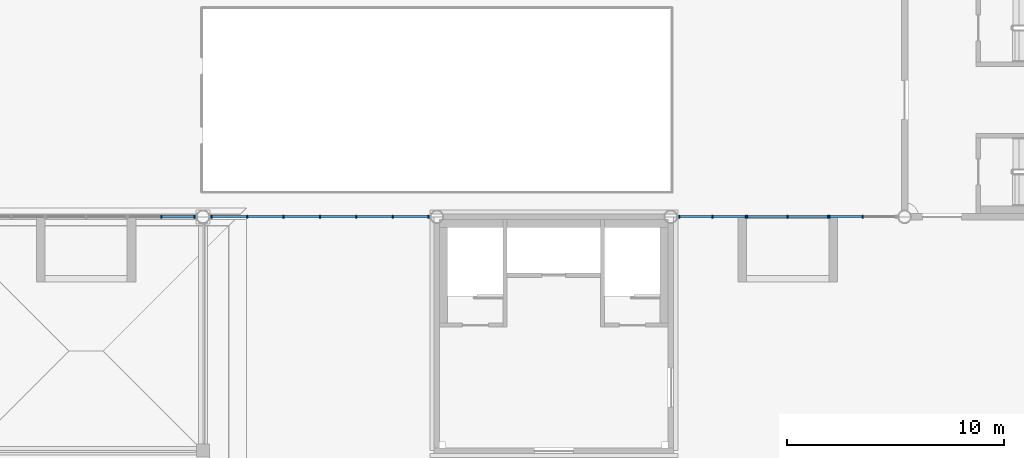
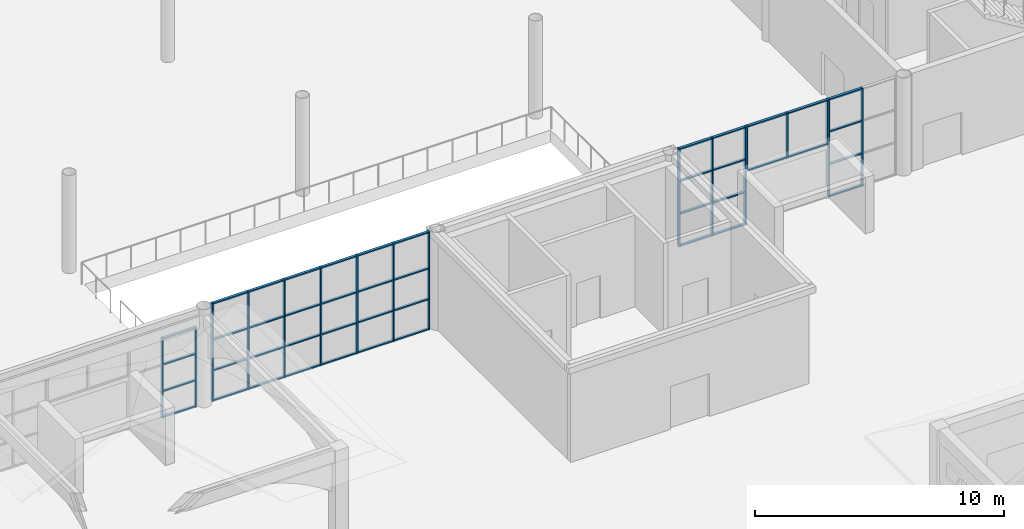
# One storey, part 20 of 91: 61 members, 5 elements without a shape of their own.
"""IFC4 building model written with IfcOpenShell, lengths in metres."""

from ifc_helpers import new_model, si_unit, direction, frame, origin, origin_2d, place, context, subcontext, project, spatial, rectangle, extrude, material, layer, layer_set, material_profile, profile_set, type_object, element, aggregate, save


model = new_model("IFC4")

# Units and contexts
model_context = context("Model", 3, precision=1e-05, world=origin(), true_north=direction((0.0, 1.0)))
body_context = subcontext(model_context, "Body", "Model", "MODEL_VIEW")
ifc_project = project(units=[si_unit("LENGTHUNIT", "METRE"), si_unit("AREAUNIT", "SQUARE_METRE"), si_unit("VOLUMEUNIT", "CUBIC_METRE"), si_unit("PLANEANGLEUNIT", "RADIAN"), si_unit("MASSUNIT", "GRAM", prefix="KILO")], contexts=[model_context])

# Site, building, storey
site_placement = place(None, origin())
site = spatial("IfcSite", under=ifc_project, at=site_placement, CompositionType="ELEMENT")
building_placement = place(site_placement, origin())
building = spatial("IfcBuilding", under=site, at=building_placement, Name="Magnolia Steps Interchange", CompositionType="ELEMENT")
storey_placement = place(building_placement, origin())
storey = spatial("IfcBuildingStorey", under=building, at=storey_placement, Name="L00", CompositionType="ELEMENT", Elevation=0.0)

# Curtain wall, members
ifc_material_1 = material(Name="Powder-coated aluminium and glass", Category="aluminium")
ifc_layer = layer(ifc_material_1, 0.14990234375)
ifc_layer_set = layer_set([ifc_layer], Name="Glazed hall curtain wall")
curtain_wall_type = type_object("IfcCurtainWallType", Name="Glazed hall curtain wall", PredefinedType="NOTDEFINED", material=ifc_layer_set)
curtain_wall_1_placement = place(storey_placement, origin())
curtain_wall_1 = element("IfcCurtainWall", 1, at=curtain_wall_1_placement, inside=storey, type_object=curtain_wall_type, Name="Hall glazing S2z L00", PredefinedType="NOTDEFINED")
ifc_material_2 = material(Name="White powder-coated aluminium", Category="aluminium")
ifc_material_profile_1 = material_profile(ifc_material_2, rectangle(XDim=0.06005859375, YDim=0.14990234375, at=origin_2d()), Name="Aluminium mullion 60 x 150")
ifc_profile_set_1 = profile_set([ifc_material_profile_1], Name="White powder-coated aluminium")
member_type_1 = type_object("IfcMemberType", Name="Aluminium mullion 60 x 150", PredefinedType="MULLION", material=ifc_profile_set_1)
member_1_placement = place(storey_placement, frame((72.8701171875, 42.39990234375, 0.0), z_axis=(0.0, 0.0, 1.0), x_axis=(1.0, 0.0, 0.0)))
member_1 = element("IfcMember", 2, at=member_1_placement, type_object=member_type_1, Name="CW1 mullion 2", PredefinedType="MULLION", context=body_context, shape_type="SweptSolid", body=[
    extrude(rectangle(XDim=0.06005859375, YDim=0.14990234375, at=origin_2d()), origin(), (0.0, 0.0, 1.0), 3.89990234375),
])
member_2_placement = place(storey_placement, frame((74.409912109375, 42.39990234375, 0.0), z_axis=(0.0, 0.0, 1.0), x_axis=(1.0, 0.0, 0.0)))
member_2 = element("IfcMember", 3, at=member_2_placement, type_object=member_type_1, Name="CW1 mullion 3", PredefinedType="MULLION", context=body_context, shape_type="SweptSolid", body=[
    extrude(rectangle(XDim=0.06005859375, YDim=0.14990234375, at=origin_2d()), origin(), (0.0, 0.0, 1.0), 3.89990234375),
])

curtain_wall_2_placement = place(storey_placement, origin())
curtain_wall_2 = element("IfcCurtainWall", 4, at=curtain_wall_2_placement, inside=storey, type_object=curtain_wall_type, Name="Hall glazing S3 L00", PredefinedType="NOTDEFINED")
member_3_placement = place(storey_placement, frame((75.18994140625, 42.39990234375, 0.0), z_axis=(0.0, 0.0, 1.0), x_axis=(1.0, 0.0, 0.0)))
member_3 = element("IfcMember", 5, at=member_3_placement, type_object=member_type_1, Name="CW1 mullion 1", PredefinedType="MULLION", context=body_context, shape_type="SweptSolid", body=[
    extrude(rectangle(XDim=0.06005859375, YDim=0.14990234375, at=origin_2d()), origin(), (0.0, 0.0, 1.0), 4.800048828125),
])
member_4_placement = place(storey_placement, frame((76.840087890625, 42.39990234375, 0.0), z_axis=(0.0, 0.0, 1.0), x_axis=(1.0, 0.0, 0.0)))
member_4 = element("IfcMember", 6, at=member_4_placement, type_object=member_type_1, Name="CW1 mullion 2", PredefinedType="MULLION", context=body_context, shape_type="SweptSolid", body=[
    extrude(rectangle(XDim=0.06005859375, YDim=0.14990234375, at=origin_2d()), origin(), (0.0, 0.0, 1.0), 4.800048828125),
])
member_5_placement = place(storey_placement, frame((78.52001953125, 42.39990234375, 0.0), z_axis=(0.0, 0.0, 1.0), x_axis=(1.0, 0.0, 0.0)))
member_5 = element("IfcMember", 7, at=member_5_placement, type_object=member_type_1, Name="CW1 mullion 3", PredefinedType="MULLION", context=body_context, shape_type="SweptSolid", body=[
    extrude(rectangle(XDim=0.06005859375, YDim=0.14990234375, at=origin_2d()), origin(), (0.0, 0.0, 1.0), 4.800048828125),
])
member_6_placement = place(storey_placement, frame((80.199951171875, 42.39990234375, 0.0), z_axis=(0.0, 0.0, 1.0), x_axis=(1.0, 0.0, 0.0)))
member_6 = element("IfcMember", 8, at=member_6_placement, type_object=member_type_1, Name="CW1 mullion 4", PredefinedType="MULLION", context=body_context, shape_type="SweptSolid", body=[
    extrude(rectangle(XDim=0.06005859375, YDim=0.14990234375, at=origin_2d()), origin(), (0.0, 0.0, 1.0), 4.800048828125),
])
member_7_placement = place(storey_placement, frame((81.8798828125, 42.39990234375, 0.0), z_axis=(0.0, 0.0, 1.0), x_axis=(1.0, 0.0, 0.0)))
member_7 = element("IfcMember", 9, at=member_7_placement, type_object=member_type_1, Name="CW1 mullion 5", PredefinedType="MULLION", context=body_context, shape_type="SweptSolid", body=[
    extrude(rectangle(XDim=0.06005859375, YDim=0.14990234375, at=origin_2d()), origin(), (0.0, 0.0, 1.0), 4.800048828125),
])
member_8_placement = place(storey_placement, frame((83.56005859375, 42.39990234375, 0.0), z_axis=(0.0, 0.0, 1.0), x_axis=(1.0, 0.0, 0.0)))
member_8 = element("IfcMember", 10, at=member_8_placement, type_object=member_type_1, Name="CW1 mullion 6", PredefinedType="MULLION", context=body_context, shape_type="SweptSolid", body=[
    extrude(rectangle(XDim=0.06005859375, YDim=0.14990234375, at=origin_2d()), origin(), (0.0, 0.0, 1.0), 4.800048828125),
])
member_9_placement = place(storey_placement, frame((85.2099609375, 42.39990234375, 0.0), z_axis=(0.0, 0.0, 1.0), x_axis=(1.0, 0.0, 0.0)))
member_9 = element("IfcMember", 11, at=member_9_placement, type_object=member_type_1, Name="CW1 mullion 7", PredefinedType="MULLION", context=body_context, shape_type="SweptSolid", body=[
    extrude(rectangle(XDim=0.06005859375, YDim=0.14990234375, at=origin_2d()), origin(), (0.0, 0.0, 1.0), 4.800048828125),
])

curtain_wall_3_placement = place(storey_placement, origin())
curtain_wall_3 = element("IfcCurtainWall", 12, at=curtain_wall_3_placement, inside=storey, type_object=curtain_wall_type, Name="Hall glazing S5a L00", PredefinedType="NOTDEFINED")
member_10_placement = place(storey_placement, frame((96.7900390625, 42.39990234375, 0.0), z_axis=(0.0, 0.0, 1.0), x_axis=(1.0, 0.0, 0.0)))
member_10 = element("IfcMember", 13, at=member_10_placement, type_object=member_type_1, Name="CW1 mullion 1", PredefinedType="MULLION", context=body_context, shape_type="SweptSolid", body=[
    extrude(rectangle(XDim=0.06005859375, YDim=0.14990234375, at=origin_2d()), origin(), (0.0, 0.0, 1.0), 4.800048828125),
])
member_11_placement = place(storey_placement, frame((98.330078125, 42.39990234375, 0.0), z_axis=(0.0, 0.0, 1.0), x_axis=(1.0, 0.0, 0.0)))
member_11 = element("IfcMember", 14, at=member_11_placement, type_object=member_type_1, Name="CW1 mullion 2", PredefinedType="MULLION", context=body_context, shape_type="SweptSolid", body=[
    extrude(rectangle(XDim=0.06005859375, YDim=0.14990234375, at=origin_2d()), origin(), (0.0, 0.0, 1.0), 4.800048828125),
])
member_12_placement = place(storey_placement, frame((99.8701171875, 42.39990234375, 0.0), z_axis=(0.0, 0.0, 1.0), x_axis=(1.0, 0.0, 0.0)))
member_12 = element("IfcMember", 15, at=member_12_placement, type_object=member_type_1, Name="CW1 mullion 3", PredefinedType="MULLION", context=body_context, shape_type="SweptSolid", body=[
    extrude(rectangle(XDim=0.06005859375, YDim=0.14990234375, at=origin_2d()), origin(), (0.0, 0.0, 1.0), 4.800048828125),
])

curtain_wall_4_placement = place(storey_placement, origin())
curtain_wall_4 = element("IfcCurtainWall", 16, at=curtain_wall_4_placement, inside=storey, type_object=curtain_wall_type, Name="Hall entrance fanlight S5", PredefinedType="NOTDEFINED")
member_13_placement = place(storey_placement, frame((99.929931640625, 42.39990234375, 2.60009765625), z_axis=(0.0, 0.0, 1.0), x_axis=(1.0, 0.0, 0.0)))
member_13 = element("IfcMember", 17, at=member_13_placement, type_object=member_type_1, Name="CW1 mullion 1", PredefinedType="MULLION", context=body_context, shape_type="SweptSolid", body=[
    extrude(rectangle(XDim=0.06005859375, YDim=0.14990234375, at=origin_2d()), origin(), (0.0, 0.0, 1.0), 2.199951171875),
])
member_14_placement = place(storey_placement, frame((101.800048828125, 42.39990234375, 2.60009765625), z_axis=(0.0, 0.0, 1.0), x_axis=(1.0, 0.0, 0.0)))
member_14 = element("IfcMember", 18, at=member_14_placement, type_object=member_type_1, Name="CW1 mullion 2", PredefinedType="MULLION", context=body_context, shape_type="SweptSolid", body=[
    extrude(rectangle(XDim=0.06005859375, YDim=0.14990234375, at=origin_2d()), origin(), (0.0, 0.0, 1.0), 2.199951171875),
])
member_15_placement = place(storey_placement, frame((103.669921875, 42.39990234375, 2.60009765625), z_axis=(0.0, 0.0, 1.0), x_axis=(1.0, 0.0, 0.0)))
member_15 = element("IfcMember", 19, at=member_15_placement, type_object=member_type_1, Name="CW1 mullion 3", PredefinedType="MULLION", context=body_context, shape_type="SweptSolid", body=[
    extrude(rectangle(XDim=0.06005859375, YDim=0.14990234375, at=origin_2d()), origin(), (0.0, 0.0, 1.0), 2.199951171875),
])

curtain_wall_5_placement = place(storey_placement, origin())
curtain_wall_5 = element("IfcCurtainWall", 20, at=curtain_wall_5_placement, inside=storey, type_object=curtain_wall_type, Name="Hall glazing S5z L00", PredefinedType="NOTDEFINED")
member_16_placement = place(storey_placement, frame((103.72998046875, 42.39990234375, 0.0), z_axis=(0.0, 0.0, 1.0), x_axis=(1.0, 0.0, 0.0)))
member_16 = element("IfcMember", 21, at=member_16_placement, type_object=member_type_1, Name="CW1 mullion 1", PredefinedType="MULLION", context=body_context, shape_type="SweptSolid", body=[
    extrude(rectangle(XDim=0.06005859375, YDim=0.14990234375, at=origin_2d()), origin(), (0.0, 0.0, 1.0), 4.800048828125),
])
member_17_placement = place(storey_placement, frame((105.27001953125, 42.39990234375, 0.0), z_axis=(0.0, 0.0, 1.0), x_axis=(1.0, 0.0, 0.0)))
member_17 = element("IfcMember", 22, at=member_17_placement, type_object=member_type_1, Name="CW1 mullion 2", PredefinedType="MULLION", context=body_context, shape_type="SweptSolid", body=[
    extrude(rectangle(XDim=0.06005859375, YDim=0.14990234375, at=origin_2d()), origin(), (0.0, 0.0, 1.0), 4.800048828125),
])

# Member
ifc_material_3 = material(Name="White powder-coated aluminium", Category="aluminium")
ifc_material_profile_2 = material_profile(ifc_material_3, rectangle(XDim=0.06005859375, YDim=0.1201171875, at=origin_2d()), Name="Aluminium transom 60 x 120")
ifc_profile_set_2 = profile_set([ifc_material_profile_2], Name="White powder-coated aluminium")
member_type_2 = type_object("IfcMemberType", Name="Aluminium transom 60 x 120", PredefinedType="USERDEFINED", material=ifc_profile_set_2)
member_18_placement = place(storey_placement, frame((72.89990234375, 42.39990234375, 0.030029296875), z_axis=(1.0, 0.0, 0.0), x_axis=(0.0, 0.0, 1.0)))
member_18 = element("IfcMember", 23, at=member_18_placement, type_object=member_type_2, Name="CW1 transom 2.1", ObjectType="TRANSOM", PredefinedType="USERDEFINED", context=body_context, shape_type="SweptSolid", body=[
    extrude(rectangle(XDim=0.06005859375, YDim=0.1201171875, at=origin_2d()), origin(), (0.0, 0.0, 1.0), 1.47998046875),
])

member_19_placement = place(storey_placement, frame((72.89990234375, 42.39990234375, 1.300048828125), z_axis=(1.0, 0.0, 0.0), x_axis=(0.0, 0.0, 1.0)))
member_19 = element("IfcMember", 24, at=member_19_placement, type_object=member_type_2, Name="CW1 transom 2.2", ObjectType="TRANSOM", PredefinedType="USERDEFINED", context=body_context, shape_type="SweptSolid", body=[
    extrude(rectangle(XDim=0.06005859375, YDim=0.1201171875, at=origin_2d()), origin(), (0.0, 0.0, 1.0), 1.47998046875),
])

member_20_placement = place(storey_placement, frame((72.89990234375, 42.39990234375, 2.60009765625), z_axis=(1.0, 0.0, 0.0), x_axis=(0.0, 0.0, 1.0)))
member_20 = element("IfcMember", 25, at=member_20_placement, type_object=member_type_2, Name="CW1 transom 2.3", ObjectType="TRANSOM", PredefinedType="USERDEFINED", context=body_context, shape_type="SweptSolid", body=[
    extrude(rectangle(XDim=0.06005859375, YDim=0.1201171875, at=origin_2d()), origin(), (0.0, 0.0, 1.0), 1.47998046875),
])

member_21_placement = place(storey_placement, frame((72.89990234375, 42.39990234375, 3.8701171875), z_axis=(1.0, 0.0, 0.0), x_axis=(0.0, 0.0, 1.0)))
member_21 = element("IfcMember", 26, at=member_21_placement, type_object=member_type_2, Name="CW1 transom 2.4", ObjectType="TRANSOM", PredefinedType="USERDEFINED", context=body_context, shape_type="SweptSolid", body=[
    extrude(rectangle(XDim=0.06005859375, YDim=0.1201171875, at=origin_2d()), origin(), (0.0, 0.0, 1.0), 1.47998046875),
])

aggregate(curtain_wall_1, [member_1, member_2, member_18, member_19, member_20, member_21])

member_22_placement = place(storey_placement, frame((75.219970703125, 42.39990234375, 0.030029296875), z_axis=(1.0, 0.0, 0.0), x_axis=(0.0, 0.0, 1.0)))
member_22 = element("IfcMember", 27, at=member_22_placement, type_object=member_type_2, Name="CW1 transom 1.1", ObjectType="TRANSOM", PredefinedType="USERDEFINED", context=body_context, shape_type="SweptSolid", body=[
    extrude(rectangle(XDim=0.06005859375, YDim=0.1201171875, at=origin_2d()), origin(), (0.0, 0.0, 1.0), 1.590087890625),
])

member_23_placement = place(storey_placement, frame((75.219970703125, 42.39990234375, 1.5), z_axis=(1.0, 0.0, 0.0), x_axis=(0.0, 0.0, 1.0)))
member_23 = element("IfcMember", 28, at=member_23_placement, type_object=member_type_2, Name="CW1 transom 1.2", ObjectType="TRANSOM", PredefinedType="USERDEFINED", context=body_context, shape_type="SweptSolid", body=[
    extrude(rectangle(XDim=0.06005859375, YDim=0.1201171875, at=origin_2d()), origin(), (0.0, 0.0, 1.0), 1.590087890625),
])

member_24_placement = place(storey_placement, frame((75.219970703125, 42.39990234375, 3.0), z_axis=(1.0, 0.0, 0.0), x_axis=(0.0, 0.0, 1.0)))
member_24 = element("IfcMember", 29, at=member_24_placement, type_object=member_type_2, Name="CW1 transom 1.3", ObjectType="TRANSOM", PredefinedType="USERDEFINED", context=body_context, shape_type="SweptSolid", body=[
    extrude(rectangle(XDim=0.06005859375, YDim=0.1201171875, at=origin_2d()), origin(), (0.0, 0.0, 1.0), 1.590087890625),
])

member_25_placement = place(storey_placement, frame((75.219970703125, 42.39990234375, 4.77001953125), z_axis=(1.0, 0.0, 0.0), x_axis=(0.0, 0.0, 1.0)))
member_25 = element("IfcMember", 30, at=member_25_placement, type_object=member_type_2, Name="CW1 transom 1.4", ObjectType="TRANSOM", PredefinedType="USERDEFINED", context=body_context, shape_type="SweptSolid", body=[
    extrude(rectangle(XDim=0.06005859375, YDim=0.1201171875, at=origin_2d()), origin(), (0.0, 0.0, 1.0), 1.590087890625),
])

member_26_placement = place(storey_placement, frame((76.8701171875, 42.39990234375, 0.030029296875), z_axis=(1.0, 0.0, 0.0), x_axis=(0.0, 0.0, 1.0)))
member_26 = element("IfcMember", 31, at=member_26_placement, type_object=member_type_2, Name="CW1 transom 2.1", ObjectType="TRANSOM", PredefinedType="USERDEFINED", context=body_context, shape_type="SweptSolid", body=[
    extrude(rectangle(XDim=0.06005859375, YDim=0.1201171875, at=origin_2d()), origin(), (0.0, 0.0, 1.0), 1.619873046875),
])

member_27_placement = place(storey_placement, frame((76.8701171875, 42.39990234375, 1.5), z_axis=(1.0, 0.0, 0.0), x_axis=(0.0, 0.0, 1.0)))
member_27 = element("IfcMember", 32, at=member_27_placement, type_object=member_type_2, Name="CW1 transom 2.2", ObjectType="TRANSOM", PredefinedType="USERDEFINED", context=body_context, shape_type="SweptSolid", body=[
    extrude(rectangle(XDim=0.06005859375, YDim=0.1201171875, at=origin_2d()), origin(), (0.0, 0.0, 1.0), 1.619873046875),
])

member_28_placement = place(storey_placement, frame((76.8701171875, 42.39990234375, 3.0), z_axis=(1.0, 0.0, 0.0), x_axis=(0.0, 0.0, 1.0)))
member_28 = element("IfcMember", 33, at=member_28_placement, type_object=member_type_2, Name="CW1 transom 2.3", ObjectType="TRANSOM", PredefinedType="USERDEFINED", context=body_context, shape_type="SweptSolid", body=[
    extrude(rectangle(XDim=0.06005859375, YDim=0.1201171875, at=origin_2d()), origin(), (0.0, 0.0, 1.0), 1.619873046875),
])

member_29_placement = place(storey_placement, frame((76.8701171875, 42.39990234375, 4.77001953125), z_axis=(1.0, 0.0, 0.0), x_axis=(0.0, 0.0, 1.0)))
member_29 = element("IfcMember", 34, at=member_29_placement, type_object=member_type_2, Name="CW1 transom 2.4", ObjectType="TRANSOM", PredefinedType="USERDEFINED", context=body_context, shape_type="SweptSolid", body=[
    extrude(rectangle(XDim=0.06005859375, YDim=0.1201171875, at=origin_2d()), origin(), (0.0, 0.0, 1.0), 1.619873046875),
])

member_30_placement = place(storey_placement, frame((78.550048828125, 42.39990234375, 0.030029296875), z_axis=(1.0, 0.0, 0.0), x_axis=(0.0, 0.0, 1.0)))
member_30 = element("IfcMember", 35, at=member_30_placement, type_object=member_type_2, Name="CW1 transom 3.1", ObjectType="TRANSOM", PredefinedType="USERDEFINED", context=body_context, shape_type="SweptSolid", body=[
    extrude(rectangle(XDim=0.06005859375, YDim=0.1201171875, at=origin_2d()), origin(), (0.0, 0.0, 1.0), 1.619873046875),
])

member_31_placement = place(storey_placement, frame((78.550048828125, 42.39990234375, 1.5), z_axis=(1.0, 0.0, 0.0), x_axis=(0.0, 0.0, 1.0)))
member_31 = element("IfcMember", 36, at=member_31_placement, type_object=member_type_2, Name="CW1 transom 3.2", ObjectType="TRANSOM", PredefinedType="USERDEFINED", context=body_context, shape_type="SweptSolid", body=[
    extrude(rectangle(XDim=0.06005859375, YDim=0.1201171875, at=origin_2d()), origin(), (0.0, 0.0, 1.0), 1.619873046875),
])

member_32_placement = place(storey_placement, frame((78.550048828125, 42.39990234375, 3.0), z_axis=(1.0, 0.0, 0.0), x_axis=(0.0, 0.0, 1.0)))
member_32 = element("IfcMember", 37, at=member_32_placement, type_object=member_type_2, Name="CW1 transom 3.3", ObjectType="TRANSOM", PredefinedType="USERDEFINED", context=body_context, shape_type="SweptSolid", body=[
    extrude(rectangle(XDim=0.06005859375, YDim=0.1201171875, at=origin_2d()), origin(), (0.0, 0.0, 1.0), 1.619873046875),
])

member_33_placement = place(storey_placement, frame((78.550048828125, 42.39990234375, 4.77001953125), z_axis=(1.0, 0.0, 0.0), x_axis=(0.0, 0.0, 1.0)))
member_33 = element("IfcMember", 38, at=member_33_placement, type_object=member_type_2, Name="CW1 transom 3.4", ObjectType="TRANSOM", PredefinedType="USERDEFINED", context=body_context, shape_type="SweptSolid", body=[
    extrude(rectangle(XDim=0.06005859375, YDim=0.1201171875, at=origin_2d()), origin(), (0.0, 0.0, 1.0), 1.619873046875),
])

member_34_placement = place(storey_placement, frame((80.22998046875, 42.39990234375, 0.030029296875), z_axis=(1.0, 0.0, 0.0), x_axis=(0.0, 0.0, 1.0)))
member_34 = element("IfcMember", 39, at=member_34_placement, type_object=member_type_2, Name="CW1 transom 4.1", ObjectType="TRANSOM", PredefinedType="USERDEFINED", context=body_context, shape_type="SweptSolid", body=[
    extrude(rectangle(XDim=0.06005859375, YDim=0.1201171875, at=origin_2d()), origin(), (0.0, 0.0, 1.0), 1.6201171875),
])

member_35_placement = place(storey_placement, frame((80.22998046875, 42.39990234375, 1.5), z_axis=(1.0, 0.0, 0.0), x_axis=(0.0, 0.0, 1.0)))
member_35 = element("IfcMember", 40, at=member_35_placement, type_object=member_type_2, Name="CW1 transom 4.2", ObjectType="TRANSOM", PredefinedType="USERDEFINED", context=body_context, shape_type="SweptSolid", body=[
    extrude(rectangle(XDim=0.06005859375, YDim=0.1201171875, at=origin_2d()), origin(), (0.0, 0.0, 1.0), 1.6201171875),
])

member_36_placement = place(storey_placement, frame((80.22998046875, 42.39990234375, 3.0), z_axis=(1.0, 0.0, 0.0), x_axis=(0.0, 0.0, 1.0)))
member_36 = element("IfcMember", 41, at=member_36_placement, type_object=member_type_2, Name="CW1 transom 4.3", ObjectType="TRANSOM", PredefinedType="USERDEFINED", context=body_context, shape_type="SweptSolid", body=[
    extrude(rectangle(XDim=0.06005859375, YDim=0.1201171875, at=origin_2d()), origin(), (0.0, 0.0, 1.0), 1.6201171875),
])

member_37_placement = place(storey_placement, frame((80.22998046875, 42.39990234375, 4.77001953125), z_axis=(1.0, 0.0, 0.0), x_axis=(0.0, 0.0, 1.0)))
member_37 = element("IfcMember", 42, at=member_37_placement, type_object=member_type_2, Name="CW1 transom 4.4", ObjectType="TRANSOM", PredefinedType="USERDEFINED", context=body_context, shape_type="SweptSolid", body=[
    extrude(rectangle(XDim=0.06005859375, YDim=0.1201171875, at=origin_2d()), origin(), (0.0, 0.0, 1.0), 1.6201171875),
])

member_38_placement = place(storey_placement, frame((81.909912109375, 42.39990234375, 0.030029296875), z_axis=(1.0, 0.0, 0.0), x_axis=(0.0, 0.0, 1.0)))
member_38 = element("IfcMember", 43, at=member_38_placement, type_object=member_type_2, Name="CW1 transom 5.1", ObjectType="TRANSOM", PredefinedType="USERDEFINED", context=body_context, shape_type="SweptSolid", body=[
    extrude(rectangle(XDim=0.06005859375, YDim=0.1201171875, at=origin_2d()), origin(), (0.0, 0.0, 1.0), 1.6201171875),
])

member_39_placement = place(storey_placement, frame((81.909912109375, 42.39990234375, 1.5), z_axis=(1.0, 0.0, 0.0), x_axis=(0.0, 0.0, 1.0)))
member_39 = element("IfcMember", 44, at=member_39_placement, type_object=member_type_2, Name="CW1 transom 5.2", ObjectType="TRANSOM", PredefinedType="USERDEFINED", context=body_context, shape_type="SweptSolid", body=[
    extrude(rectangle(XDim=0.06005859375, YDim=0.1201171875, at=origin_2d()), origin(), (0.0, 0.0, 1.0), 1.6201171875),
])

member_40_placement = place(storey_placement, frame((81.909912109375, 42.39990234375, 3.0), z_axis=(1.0, 0.0, 0.0), x_axis=(0.0, 0.0, 1.0)))
member_40 = element("IfcMember", 45, at=member_40_placement, type_object=member_type_2, Name="CW1 transom 5.3", ObjectType="TRANSOM", PredefinedType="USERDEFINED", context=body_context, shape_type="SweptSolid", body=[
    extrude(rectangle(XDim=0.06005859375, YDim=0.1201171875, at=origin_2d()), origin(), (0.0, 0.0, 1.0), 1.6201171875),
])

member_41_placement = place(storey_placement, frame((81.909912109375, 42.39990234375, 4.77001953125), z_axis=(1.0, 0.0, 0.0), x_axis=(0.0, 0.0, 1.0)))
member_41 = element("IfcMember", 46, at=member_41_placement, type_object=member_type_2, Name="CW1 transom 5.4", ObjectType="TRANSOM", PredefinedType="USERDEFINED", context=body_context, shape_type="SweptSolid", body=[
    extrude(rectangle(XDim=0.06005859375, YDim=0.1201171875, at=origin_2d()), origin(), (0.0, 0.0, 1.0), 1.6201171875),
])

member_42_placement = place(storey_placement, frame((83.590087890625, 42.39990234375, 0.030029296875), z_axis=(1.0, 0.0, 0.0), x_axis=(0.0, 0.0, 1.0)))
member_42 = element("IfcMember", 47, at=member_42_placement, type_object=member_type_2, Name="CW1 transom 6.1", ObjectType="TRANSOM", PredefinedType="USERDEFINED", context=body_context, shape_type="SweptSolid", body=[
    extrude(rectangle(XDim=0.06005859375, YDim=0.1201171875, at=origin_2d()), origin(), (0.0, 0.0, 1.0), 1.58984375),
])

member_43_placement = place(storey_placement, frame((83.590087890625, 42.39990234375, 1.5), z_axis=(1.0, 0.0, 0.0), x_axis=(0.0, 0.0, 1.0)))
member_43 = element("IfcMember", 48, at=member_43_placement, type_object=member_type_2, Name="CW1 transom 6.2", ObjectType="TRANSOM", PredefinedType="USERDEFINED", context=body_context, shape_type="SweptSolid", body=[
    extrude(rectangle(XDim=0.06005859375, YDim=0.1201171875, at=origin_2d()), origin(), (0.0, 0.0, 1.0), 1.58984375),
])

member_44_placement = place(storey_placement, frame((83.590087890625, 42.39990234375, 3.0), z_axis=(1.0, 0.0, 0.0), x_axis=(0.0, 0.0, 1.0)))
member_44 = element("IfcMember", 49, at=member_44_placement, type_object=member_type_2, Name="CW1 transom 6.3", ObjectType="TRANSOM", PredefinedType="USERDEFINED", context=body_context, shape_type="SweptSolid", body=[
    extrude(rectangle(XDim=0.06005859375, YDim=0.1201171875, at=origin_2d()), origin(), (0.0, 0.0, 1.0), 1.58984375),
])

member_45_placement = place(storey_placement, frame((83.590087890625, 42.39990234375, 4.77001953125), z_axis=(1.0, 0.0, 0.0), x_axis=(0.0, 0.0, 1.0)))
member_45 = element("IfcMember", 50, at=member_45_placement, type_object=member_type_2, Name="CW1 transom 6.4", ObjectType="TRANSOM", PredefinedType="USERDEFINED", context=body_context, shape_type="SweptSolid", body=[
    extrude(rectangle(XDim=0.06005859375, YDim=0.1201171875, at=origin_2d()), origin(), (0.0, 0.0, 1.0), 1.58984375),
])

aggregate(curtain_wall_2, [member_3, member_4, member_5, member_6, member_7, member_8, member_9, member_22, member_23, member_24, member_25, member_26, member_27, member_28, member_29, member_30, member_31, member_32, member_33, member_34, member_35, member_36, member_37, member_38, member_39, member_40, member_41, member_42, member_43, member_44, member_45])

member_46_placement = place(storey_placement, frame((96.820068359375, 42.39990234375, 0.030029296875), z_axis=(1.0, 0.0, 0.0), x_axis=(0.0, 0.0, 1.0)))
member_46 = element("IfcMember", 51, at=member_46_placement, type_object=member_type_2, Name="CW1 transom 1.1", ObjectType="TRANSOM", PredefinedType="USERDEFINED", context=body_context, shape_type="SweptSolid", body=[
    extrude(rectangle(XDim=0.06005859375, YDim=0.1201171875, at=origin_2d()), origin(), (0.0, 0.0, 1.0), 1.47998046875),
])

member_47_placement = place(storey_placement, frame((96.820068359375, 42.39990234375, 1.60009765625), z_axis=(1.0, 0.0, 0.0), x_axis=(0.0, 0.0, 1.0)))
member_47 = element("IfcMember", 52, at=member_47_placement, type_object=member_type_2, Name="CW1 transom 1.2", ObjectType="TRANSOM", PredefinedType="USERDEFINED", context=body_context, shape_type="SweptSolid", body=[
    extrude(rectangle(XDim=0.06005859375, YDim=0.1201171875, at=origin_2d()), origin(), (0.0, 0.0, 1.0), 1.47998046875),
])

member_48_placement = place(storey_placement, frame((96.820068359375, 42.39990234375, 3.199951171875), z_axis=(1.0, 0.0, 0.0), x_axis=(0.0, 0.0, 1.0)))
member_48 = element("IfcMember", 53, at=member_48_placement, type_object=member_type_2, Name="CW1 transom 1.3", ObjectType="TRANSOM", PredefinedType="USERDEFINED", context=body_context, shape_type="SweptSolid", body=[
    extrude(rectangle(XDim=0.06005859375, YDim=0.1201171875, at=origin_2d()), origin(), (0.0, 0.0, 1.0), 1.47998046875),
])

member_49_placement = place(storey_placement, frame((96.820068359375, 42.39990234375, 4.77001953125), z_axis=(1.0, 0.0, 0.0), x_axis=(0.0, 0.0, 1.0)))
member_49 = element("IfcMember", 54, at=member_49_placement, type_object=member_type_2, Name="CW1 transom 1.4", ObjectType="TRANSOM", PredefinedType="USERDEFINED", context=body_context, shape_type="SweptSolid", body=[
    extrude(rectangle(XDim=0.06005859375, YDim=0.1201171875, at=origin_2d()), origin(), (0.0, 0.0, 1.0), 1.47998046875),
])

member_50_placement = place(storey_placement, frame((98.360107421875, 42.39990234375, 0.030029296875), z_axis=(1.0, 0.0, 0.0), x_axis=(0.0, 0.0, 1.0)))
member_50 = element("IfcMember", 55, at=member_50_placement, type_object=member_type_2, Name="CW1 transom 2.1", ObjectType="TRANSOM", PredefinedType="USERDEFINED", context=body_context, shape_type="SweptSolid", body=[
    extrude(rectangle(XDim=0.06005859375, YDim=0.1201171875, at=origin_2d()), origin(), (0.0, 0.0, 1.0), 1.47998046875),
])

member_51_placement = place(storey_placement, frame((98.360107421875, 42.39990234375, 1.60009765625), z_axis=(1.0, 0.0, 0.0), x_axis=(0.0, 0.0, 1.0)))
member_51 = element("IfcMember", 56, at=member_51_placement, type_object=member_type_2, Name="CW1 transom 2.2", ObjectType="TRANSOM", PredefinedType="USERDEFINED", context=body_context, shape_type="SweptSolid", body=[
    extrude(rectangle(XDim=0.06005859375, YDim=0.1201171875, at=origin_2d()), origin(), (0.0, 0.0, 1.0), 1.47998046875),
])

member_52_placement = place(storey_placement, frame((98.360107421875, 42.39990234375, 3.199951171875), z_axis=(1.0, 0.0, 0.0), x_axis=(0.0, 0.0, 1.0)))
member_52 = element("IfcMember", 57, at=member_52_placement, type_object=member_type_2, Name="CW1 transom 2.3", ObjectType="TRANSOM", PredefinedType="USERDEFINED", context=body_context, shape_type="SweptSolid", body=[
    extrude(rectangle(XDim=0.06005859375, YDim=0.1201171875, at=origin_2d()), origin(), (0.0, 0.0, 1.0), 1.47998046875),
])

member_53_placement = place(storey_placement, frame((98.360107421875, 42.39990234375, 4.77001953125), z_axis=(1.0, 0.0, 0.0), x_axis=(0.0, 0.0, 1.0)))
member_53 = element("IfcMember", 58, at=member_53_placement, type_object=member_type_2, Name="CW1 transom 2.4", ObjectType="TRANSOM", PredefinedType="USERDEFINED", context=body_context, shape_type="SweptSolid", body=[
    extrude(rectangle(XDim=0.06005859375, YDim=0.1201171875, at=origin_2d()), origin(), (0.0, 0.0, 1.0), 1.47998046875),
])

aggregate(curtain_wall_3, [member_10, member_11, member_12, member_46, member_47, member_48, member_49, member_50, member_51, member_52, member_53])

member_54_placement = place(storey_placement, frame((99.9599609375, 42.39990234375, 2.6298828125), z_axis=(1.0, 0.0, 0.0), x_axis=(0.0, 0.0, 1.0)))
member_54 = element("IfcMember", 59, at=member_54_placement, type_object=member_type_2, Name="CW1 transom 1.1", ObjectType="TRANSOM", PredefinedType="USERDEFINED", context=body_context, shape_type="SweptSolid", body=[
    extrude(rectangle(XDim=0.06005859375, YDim=0.1201171875, at=origin_2d()), origin(), (0.0, 0.0, 1.0), 1.81005859375),
])

member_55_placement = place(storey_placement, frame((99.9599609375, 42.39990234375, 4.77001953125), z_axis=(1.0, 0.0, 0.0), x_axis=(0.0, 0.0, 1.0)))
member_55 = element("IfcMember", 60, at=member_55_placement, type_object=member_type_2, Name="CW1 transom 1.2", ObjectType="TRANSOM", PredefinedType="USERDEFINED", context=body_context, shape_type="SweptSolid", body=[
    extrude(rectangle(XDim=0.06005859375, YDim=0.1201171875, at=origin_2d()), origin(), (0.0, 0.0, 1.0), 1.81005859375),
])

member_56_placement = place(storey_placement, frame((101.830078125, 42.39990234375, 2.6298828125), z_axis=(1.0, 0.0, 0.0), x_axis=(0.0, 0.0, 1.0)))
member_56 = element("IfcMember", 61, at=member_56_placement, type_object=member_type_2, Name="CW1 transom 2.1", ObjectType="TRANSOM", PredefinedType="USERDEFINED", context=body_context, shape_type="SweptSolid", body=[
    extrude(rectangle(XDim=0.06005859375, YDim=0.1201171875, at=origin_2d()), origin(), (0.0, 0.0, 1.0), 1.809814453125),
])

member_57_placement = place(storey_placement, frame((101.830078125, 42.39990234375, 4.77001953125), z_axis=(1.0, 0.0, 0.0), x_axis=(0.0, 0.0, 1.0)))
member_57 = element("IfcMember", 62, at=member_57_placement, type_object=member_type_2, Name="CW1 transom 2.2", ObjectType="TRANSOM", PredefinedType="USERDEFINED", context=body_context, shape_type="SweptSolid", body=[
    extrude(rectangle(XDim=0.06005859375, YDim=0.1201171875, at=origin_2d()), origin(), (0.0, 0.0, 1.0), 1.809814453125),
])

aggregate(curtain_wall_4, [member_13, member_14, member_15, member_54, member_55, member_56, member_57])

member_58_placement = place(storey_placement, frame((103.760009765625, 42.39990234375, 0.030029296875), z_axis=(1.0, 0.0, 0.0), x_axis=(0.0, 0.0, 1.0)))
member_58 = element("IfcMember", 63, at=member_58_placement, type_object=member_type_2, Name="CW1 transom 1.1", ObjectType="TRANSOM", PredefinedType="USERDEFINED", context=body_context, shape_type="SweptSolid", body=[
    extrude(rectangle(XDim=0.06005859375, YDim=0.1201171875, at=origin_2d()), origin(), (0.0, 0.0, 1.0), 1.47998046875),
])

member_59_placement = place(storey_placement, frame((103.760009765625, 42.39990234375, 1.60009765625), z_axis=(1.0, 0.0, 0.0), x_axis=(0.0, 0.0, 1.0)))
member_59 = element("IfcMember", 64, at=member_59_placement, type_object=member_type_2, Name="CW1 transom 1.2", ObjectType="TRANSOM", PredefinedType="USERDEFINED", context=body_context, shape_type="SweptSolid", body=[
    extrude(rectangle(XDim=0.06005859375, YDim=0.1201171875, at=origin_2d()), origin(), (0.0, 0.0, 1.0), 1.47998046875),
])

member_60_placement = place(storey_placement, frame((103.760009765625, 42.39990234375, 3.199951171875), z_axis=(1.0, 0.0, 0.0), x_axis=(0.0, 0.0, 1.0)))
member_60 = element("IfcMember", 65, at=member_60_placement, type_object=member_type_2, Name="CW1 transom 1.3", ObjectType="TRANSOM", PredefinedType="USERDEFINED", context=body_context, shape_type="SweptSolid", body=[
    extrude(rectangle(XDim=0.06005859375, YDim=0.1201171875, at=origin_2d()), origin(), (0.0, 0.0, 1.0), 1.47998046875),
])

member_61_placement = place(storey_placement, frame((103.760009765625, 42.39990234375, 4.77001953125), z_axis=(1.0, 0.0, 0.0), x_axis=(0.0, 0.0, 1.0)))
member_61 = element("IfcMember", 66, at=member_61_placement, type_object=member_type_2, Name="CW1 transom 1.4", ObjectType="TRANSOM", PredefinedType="USERDEFINED", context=body_context, shape_type="SweptSolid", body=[
    extrude(rectangle(XDim=0.06005859375, YDim=0.1201171875, at=origin_2d()), origin(), (0.0, 0.0, 1.0), 1.47998046875),
])

aggregate(curtain_wall_5, [member_16, member_17, member_58, member_59, member_60, member_61])

save(model, "model.ifc")
